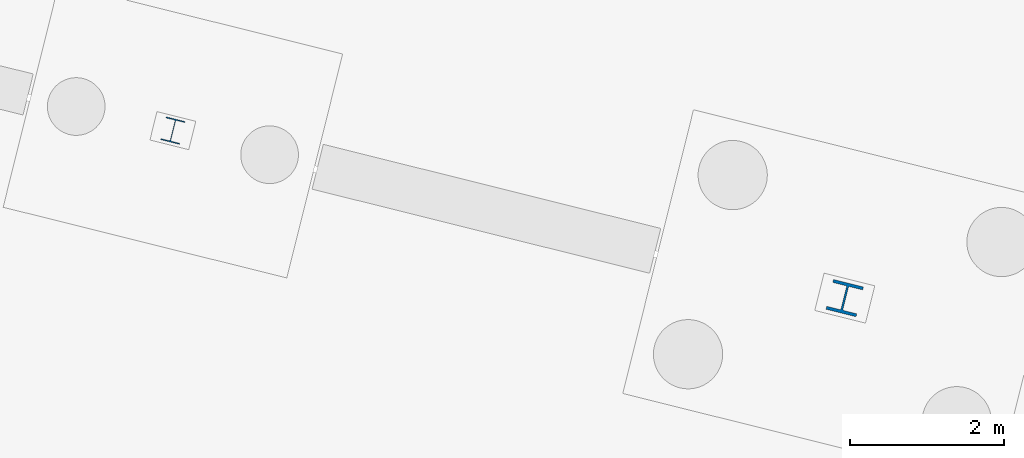
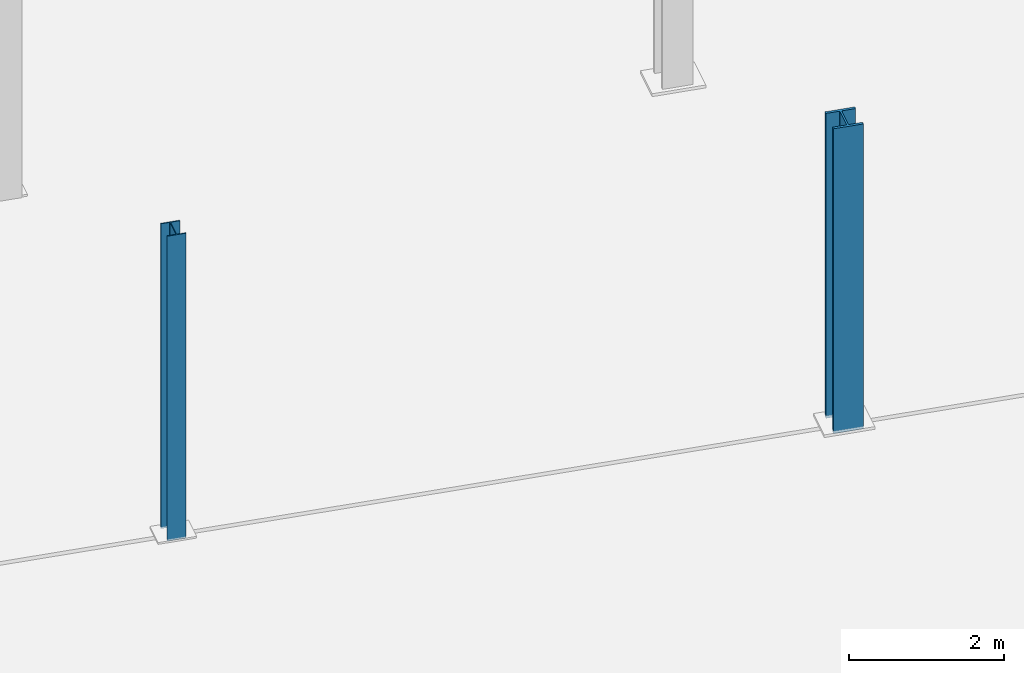
# One storey, part 15 of 108: 2 columns.
"""IFC4 building model written with IfcOpenShell, lengths in metres."""

from ifc_helpers import new_model, si_unit, direction, frame, origin, origin_2d, place, context, subcontext, project, spatial, i_section, extrude, material, material_profile, profile_set, type_object, element, save


model = new_model("IFC4")

# Units and contexts
model_context = context("Model", 3, precision=1e-05, world=origin(), true_north=direction((0.0, 1.0)))
body_context = subcontext(model_context, "Body", "Model", "MODEL_VIEW")
ifc_project = project(units=[si_unit("LENGTHUNIT", "METRE"), si_unit("AREAUNIT", "SQUARE_METRE"), si_unit("VOLUMEUNIT", "CUBIC_METRE"), si_unit("PLANEANGLEUNIT", "RADIAN"), si_unit("MASSUNIT", "GRAM", prefix="KILO")], contexts=[model_context])

# Site, building, storey
site_placement = place(None, origin())
site = spatial("IfcSite", under=ifc_project, at=site_placement, CompositionType="ELEMENT")
building_placement = place(site_placement, origin())
building = spatial("IfcBuilding", under=site, at=building_placement, Name="Vireo Bluff Cable Station", CompositionType="ELEMENT")
storey_placement = place(building_placement, origin())
storey = spatial("IfcBuildingStorey", under=building, at=storey_placement, Name="L00", CompositionType="ELEMENT", Elevation=0.0)

# Columns
ifc_material = material(Name="Steel ASTM A992 Gr. 50", Category="steel")
ifc_material_profile_1 = material_profile(ifc_material, i_section(OverallWidth=0.40087890625, OverallDepth=0.39892578125, WebThickness=0.02490234375, FlangeThickness=0.03955078125, FilletRadius=0.014892578125, at=origin_2d()), Name="W14X211")
ifc_profile_set_1 = profile_set([ifc_material_profile_1], Name="Steel ASTM A992 Gr. 50")
column_type_1 = type_object("IfcColumnType", Name="ECOL-W14X211", PredefinedType="COLUMN", material=ifc_profile_set_1)
column_1_placement = place(storey_placement, frame((97.663330078125, 27.113525390625, 0.0), z_axis=(0.0, 0.0, 1.0), x_axis=(0.970295726276, -0.2419218956, 0.0)))
element("IfcColumn", 1, at=column_1_placement, inside=storey, type_object=column_type_1, Name="V1 L00 column 97", PredefinedType="COLUMN", context=body_context, shape_type="SweptSolid", body=[
    extrude(i_section(OverallWidth=0.40087890625, OverallDepth=0.39892578125, WebThickness=0.02490234375, FlangeThickness=0.03955078125, FilletRadius=0.014892578125, at=origin_2d()), origin(), (0.0, 0.0, 1.0), 4.800048828125),
])
ifc_material_profile_2 = material_profile(ifc_material, i_section(OverallWidth=0.25390625, OverallDepth=0.305908203125, WebThickness=0.0087890625, FlangeThickness=0.0146484375, FilletRadius=0.010986328125, at=origin_2d()), Name="W12X53")
ifc_profile_set_2 = profile_set([ifc_material_profile_2], Name="Steel ASTM A992 Gr. 50")
column_type_2 = type_object("IfcColumnType", Name="PIL-W12X53", PredefinedType="PILASTER", material=ifc_profile_set_2)
column_2_placement = place(storey_placement, frame((88.9306640625, 29.290771484375, 0.0), z_axis=(0.0, 0.0, 1.0), x_axis=(0.970295726276, -0.2419218956, 0.0)))
element("IfcColumn", 2, at=column_2_placement, inside=storey, type_object=column_type_2, Name="V1 L00 column 81", PredefinedType="PILASTER", context=body_context, shape_type="SweptSolid", body=[
    extrude(i_section(OverallWidth=0.25390625, OverallDepth=0.305908203125, WebThickness=0.0087890625, FlangeThickness=0.0146484375, FilletRadius=0.010986328125, at=origin_2d()), origin(), (0.0, 0.0, 1.0), 4.800048828125),
])

save(model, "model.ifc")
